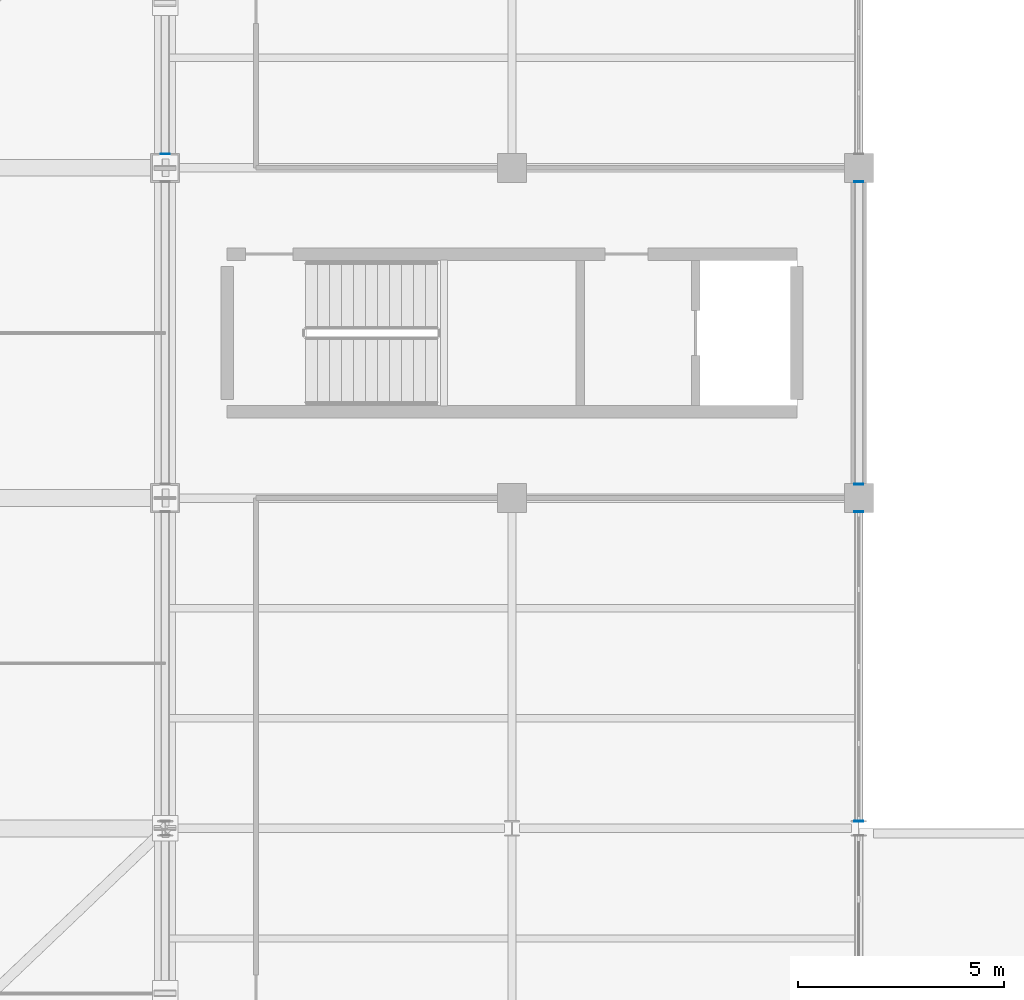
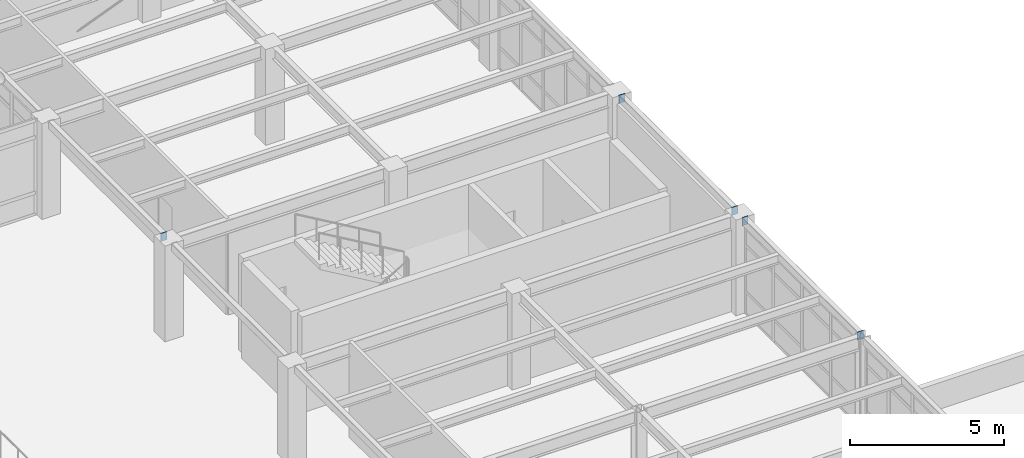
# One storey, part 114 of 138: 5 discrete accessories.
"""IFC4 building model written with IfcOpenShell, lengths in metres."""

import ifcopenshell
import ifcopenshell.guid

model = None  # the IFC model being written
_history = None  # IfcOwnerHistory: only IFC2X3 demands one
_inside = {}  # id of a spatial element -> (the spatial element, [elements in it])
_under = {}  # id of a project, library or spatial element -> (it, [spatial elements below it])
_declared = {}  # id of a project -> (the project, [libraries it declares])
_typed = {}  # id of a type object -> (the type object, [elements of that type])
_made_of = {}  # id of a material, layer set ... -> (it, [elements and type objects made of it])


def new_model(schema):
    """Start an empty IFC model of exactly this schema.

    Asked for "IFC4X3", IfcOpenShell would pick the latest addendum, in which some entities
    have other attributes; the version numbers below select the first issue.
    IFC2X3 requires an IfcOwnerHistory on every rooted entity: one is made here for all.
    """
    global model, _history
    if schema == "IFC4X3":
        model = ifcopenshell.file(schema_version=(4, 3, 0, 0))
    else:
        model = ifcopenshell.file(schema=schema)
    _inside.clear()
    _under.clear()
    _declared.clear()
    _typed.clear()
    _made_of.clear()
    _history = None
    if model.schema == "IFC2X3":
        org = make("IfcOrganization", Name="unknown")
        user = make(
            "IfcPersonAndOrganization",
            ThePerson=make("IfcPerson", FamilyName="unknown"),
            TheOrganization=org,
        )
        app = make(
            "IfcApplication",
            ApplicationDeveloper=org,
            Version="unknown",
            ApplicationFullName="unknown",
            ApplicationIdentifier="unknown",
        )
        _history = make(
            "IfcOwnerHistory",
            OwningUser=user,
            OwningApplication=app,
            ChangeAction="ADDED",
            CreationDate=0,
        )
    return model


def make(cls, **values):
    """One entity of the class cls with the attributes given. An attribute that is None is left unset."""
    return model.create_entity(
        cls, **{name: value for name, value in values.items() if value is not None}
    )


def rooted(cls, **values):
    """An entity with a GlobalId (a new one), such as an element, a storey or a relation."""
    return make(cls, GlobalId=ifcopenshell.guid.new(), OwnerHistory=_history, **values)


def si_unit(unit_type, name, prefix=None):
    """IfcSIUnit, for example si_unit("LENGTHUNIT", "METRE", prefix="MILLI")."""
    return make("IfcSIUnit", UnitType=unit_type, Prefix=prefix, Name=name)


def assignment(units):
    """IfcUnitAssignment: the units of a project."""
    return None if units is None else make("IfcUnitAssignment", Units=units)


def point(xyz):
    """IfcCartesianPoint."""
    return None if xyz is None else make("IfcCartesianPoint", Coordinates=xyz)


def direction(xyz):
    """IfcDirection."""
    return None if xyz is None else make("IfcDirection", DirectionRatios=xyz)


def frame(location, z_axis=None, x_axis=None):
    """IfcAxis2Placement3D, a coordinate frame: its origin and axes. An axis left out is left unset."""
    return make(
        "IfcAxis2Placement3D",
        Location=point(location),
        Axis=direction(z_axis),
        RefDirection=direction(x_axis),
    )


def frame_2d(location, x_axis=None):
    """IfcAxis2Placement2D, a coordinate frame in the plane: its origin and x axis."""
    return make(
        "IfcAxis2Placement2D", Location=point(location), RefDirection=direction(x_axis)
    )


def origin():
    """The frame at (0, 0, 0) with its axes left unset."""
    return frame((0.0, 0.0, 0.0))


def origin_2d():
    """The frame at (0, 0) in the plane with its x axis left unset."""
    return frame_2d((0.0, 0.0))


def place(relative_to, where):
    """IfcLocalPlacement: puts the frame where relative to a parent placement (None: the world)."""
    return make(
        "IfcLocalPlacement", PlacementRelTo=relative_to, RelativePlacement=where
    )


def context(
    kind, dimensions, precision=None, world=None, true_north=None, identifier=None
):
    """IfcGeometricRepresentationContext, for example the 3D "Model" context."""
    return make(
        "IfcGeometricRepresentationContext",
        ContextIdentifier=identifier,
        ContextType=kind,
        CoordinateSpaceDimension=dimensions,
        Precision=precision,
        WorldCoordinateSystem=world,
        TrueNorth=true_north,
    )


def subcontext(parent, identifier, kind, view, scale=None):
    """IfcGeometricRepresentationSubContext, for example "Body" below "Model"."""
    return make(
        "IfcGeometricRepresentationSubContext",
        ContextIdentifier=identifier,
        ContextType=kind,
        ParentContext=parent,
        TargetScale=scale,
        TargetView=view,
    )


def project(units=None, contexts=None):
    """IfcProject with its units and contexts."""
    return rooted(
        "IfcProject",
        Name="project",
        RepresentationContexts=contexts,
        UnitsInContext=assignment(units),
    )


def spatial(cls, under=None, at=None, **own):
    """A site, building, storey or space (cls), placed at a placement, below another one or the project."""
    s = rooted(cls, ObjectPlacement=at, **own)
    if under is not None:
        _under.setdefault(under.id(), (under, []))[1].append(s)
    return s


def profile(cls, at=None, kind="AREA", **sizes):
    """A parametric profile (cls). Its sizes go by their IFC names, for example OverallWidth=200.0."""
    return make(cls, ProfileType=kind, Position=at, **sizes)


def rectangle(**sizes):
    """IfcRectangleProfileDef."""
    return profile("IfcRectangleProfileDef", **sizes)


def extrude(swept, where, along, depth):
    """IfcExtrudedAreaSolid: the profile swept, set in the frame where, extruded along a direction by depth."""
    return make(
        "IfcExtrudedAreaSolid",
        SweptArea=swept,
        Position=where,
        ExtrudedDirection=direction(along),
        Depth=depth,
    )


def shape(context_of_items, identifier, shape_type, items):
    """IfcShapeRepresentation: the items that make up one representation, for example the "Body"."""
    return make(
        "IfcShapeRepresentation",
        ContextOfItems=context_of_items,
        RepresentationIdentifier=identifier,
        RepresentationType=shape_type,
        Items=items,
    )


def material(Name=None, Category=None):
    """IfcMaterial."""
    return make("IfcMaterial", Name=Name, Category=Category)


def layer(
    of_material, thickness, ventilated=None, Name=None, Category=None, Priority=None
):
    """IfcMaterialLayer: one layer of a wall or slab, of a material (None: an air gap)."""
    return make(
        "IfcMaterialLayer",
        Material=of_material,
        LayerThickness=thickness,
        IsVentilated=ventilated,
        Name=Name,
        Category=Category,
        Priority=Priority,
    )


def layer_set(layers, Name=None):
    """IfcMaterialLayerSet."""
    return make("IfcMaterialLayerSet", MaterialLayers=layers, LayerSetName=Name)


def made_of(thing, what):
    """Note that an element or type object is made of a material, layer set ...; save() writes the relation."""
    if what is not None:
        _made_of.setdefault(what.id(), (what, []))[1].append(thing)
    return thing


def type_object(cls, material=None, **own):
    """A type object (cls), such as IfcWallType, which elements share."""
    return made_of(rooted(cls, **own), material)


def element(
    cls,
    number,
    at=None,
    inside=None,
    cuts=None,
    type_object=None,
    material=None,
    context=None,
    identifier="Body",
    shape_type=None,
    held_by="IfcProductDefinitionShape",
    body=None,
    shapes=None,
    **own,
):
    """One element of the class cls, such as IfcWall. Its Tag is "e" and its number.

    at: its placement. inside: the storey or other place that contains it. cuts: it is an
    opening in that element (IfcRelVoidsElement). A single representation is given by context,
    identifier, shape_type and body (its items); several are given by shapes. held_by: the class
    of the entity that holds the representations. save() writes the other relations.
    """
    e = rooted(cls, Tag="e%d" % number, ObjectPlacement=at, **own)
    if body is not None:
        shapes = [shape(context, identifier, shape_type, body)]
    if shapes is not None:
        e.Representation = make(held_by, Representations=shapes)
    if inside is not None:
        _inside.setdefault(inside.id(), (inside, []))[1].append(e)
    if cuts is not None:
        rooted(
            "IfcRelVoidsElement", RelatingBuildingElement=cuts, RelatedOpeningElement=e
        )
    if type_object is not None:
        _typed.setdefault(type_object.id(), (type_object, []))[1].append(e)
    return made_of(e, material)


def aggregate(whole, parts):
    """IfcRelAggregates: a whole, such as a stair, and the parts it consists of."""
    return rooted("IfcRelAggregates", RelatingObject=whole, RelatedObjects=parts)


def save(model, path):
    """Write the relations noted so far, then the file.

    IfcRelAggregates (storeys below a building ...), IfcRelContainedInSpatialStructure (elements
    in a storey), IfcRelDefinesByType, IfcRelAssociatesMaterial and IfcRelDeclares: one each for
    every whole, place, type object, material and project.
    """
    for whole, parts in _under.values():
        aggregate(whole, parts)
    for where, things in _inside.values():
        rooted(
            "IfcRelContainedInSpatialStructure",
            RelatedElements=things,
            RelatingStructure=where,
        )
    for kind, things in _typed.values():
        rooted("IfcRelDefinesByType", RelatedObjects=things, RelatingType=kind)
    for what, things in _made_of.values():
        rooted("IfcRelAssociatesMaterial", RelatedObjects=things, RelatingMaterial=what)
    for by, libraries in _declared.values():
        rooted("IfcRelDeclares", RelatingContext=by, RelatedDefinitions=libraries)
    model.write(path)


model = new_model("IFC4")

# Units and contexts
model_context = context("Model", 3, precision=1e-05, world=origin(), true_north=direction((0.0, 1.0)))
body_context = subcontext(model_context, "Body", "Model", "MODEL_VIEW")
ifc_project = project(units=[si_unit("LENGTHUNIT", "METRE"), si_unit("AREAUNIT", "SQUARE_METRE"), si_unit("VOLUMEUNIT", "CUBIC_METRE"), si_unit("PLANEANGLEUNIT", "RADIAN"), si_unit("MASSUNIT", "GRAM", prefix="KILO")], contexts=[model_context])

# Site, building, storey
site_placement = place(None, origin())
site = spatial("IfcSite", under=ifc_project, at=site_placement, CompositionType="ELEMENT")
building_placement = place(site_placement, origin())
building = spatial("IfcBuilding", under=site, at=building_placement, Name="Kranzveld Transit Interchange", CompositionType="ELEMENT")
storey_placement = place(building_placement, frame((0.0, 0.0, 5.43994140625)))
storey = spatial("IfcBuildingStorey", under=building, at=storey_placement, Name="L01", CompositionType="ELEMENT", Elevation=5.43994140625)

# Discrete accessories
ifc_material = material(Name="Steel S355JR", Category="steel")
ifc_layer = layer(ifc_material, 0.02001953125)
ifc_layer_set = layer_set([ifc_layer], Name="Steel S355JR")
discrete_accessory_type = type_object("IfcDiscreteAccessoryType", Name="Hollow Section End Cap Bracket 20 S355JR", PredefinedType="BRACKET", material=ifc_layer_set)
for number, where, z_axis, x_axis, name in (
    (1, (100.800048828125, 80.343994140625, 3.650146484375), (0.0, -1.0, 0.0), (1.0, 0.0, 0.0), "Hollow Section End Cap SP-RHS300-1"),
    (2, (117.60009765625, 64.181396484375, 3.650146484375), (0.0, -1.0, 0.0), (1.0, 0.0, 0.0), "Hollow Section End Cap SP-RHS300-1"),
    (3, (117.60009765625, 71.656005859375, 3.650146484375), (0.0, 1.0, 0.0), (-1.0, 0.0, 0.0), "Hollow Section End Cap SP-RHS300-2"),
    (4, (117.60009765625, 72.343994140625, 3.650146484375), (0.0, -1.0, 0.0), (1.0, 0.0, 0.0), "Hollow Section End Cap SP-RHS300-1"),
    (5, (117.60009765625, 79.656005859375, 3.650146484375), (0.0, 1.0, 0.0), (-1.0, 0.0, 0.0), "Hollow Section End Cap SP-RHS300-2"),
):
    element("IfcDiscreteAccessory", number, at=place(storey_placement, frame(where, z_axis=z_axis, x_axis=x_axis)), inside=storey, type_object=discrete_accessory_type, Name=name, PredefinedType="BRACKET", context=body_context, shape_type="SweptSolid", body=[
        extrude(rectangle(XDim=0.22412109375, YDim=0.323974609375, at=origin_2d()), origin(), (0.0, 0.0, 1.0), 0.02001953125),
    ])

save(model, "model.ifc")
